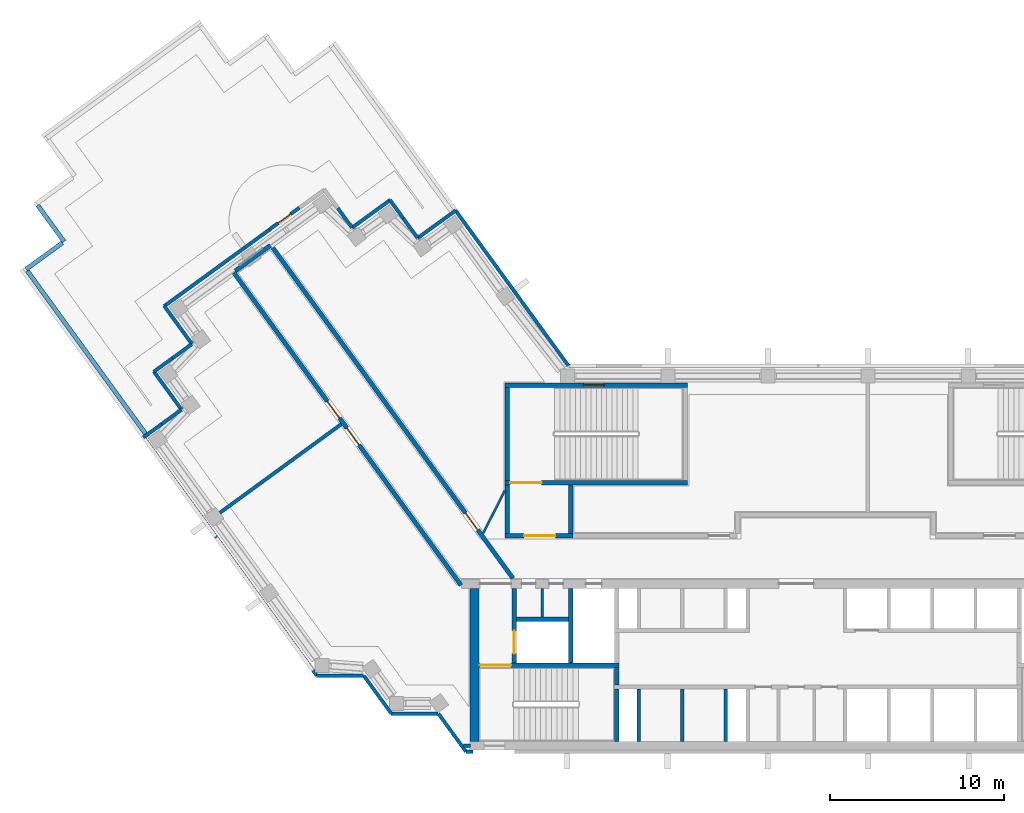
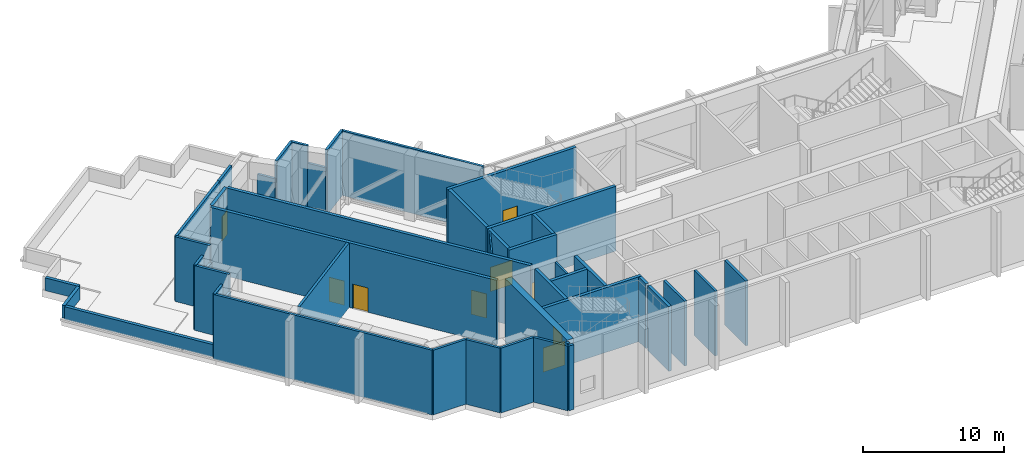
# One storey, part 9 of 15: 46 walls, 8 doors, 1 window, 9 openings.
"""IFC4 building model written with IfcOpenShell, lengths in metres."""

from ifc_helpers import new_model, si_unit, direction, frame, frame_2d, origin, place, context, subcontext, project, spatial, rectangle, extrude, material, layer, layer_set, type_object, element, fill, save


model = new_model("IFC4")

# Units and contexts
model_context = context("Model", 3, precision=1e-05, world=origin(), true_north=direction((0.0, 1.0)))
body_context = subcontext(model_context, "Body", "Model", "MODEL_VIEW")
ifc_project = project(units=[si_unit("LENGTHUNIT", "METRE"), si_unit("AREAUNIT", "SQUARE_METRE"), si_unit("VOLUMEUNIT", "CUBIC_METRE"), si_unit("PLANEANGLEUNIT", "RADIAN"), si_unit("MASSUNIT", "GRAM", prefix="KILO")], contexts=[model_context])

# Site, building, storey
site_placement = place(None, origin())
site = spatial("IfcSite", under=ifc_project, at=site_placement, CompositionType="ELEMENT")
building_placement = place(site_placement, origin())
building = spatial("IfcBuilding", under=site, at=building_placement, Name="Quipu Civic Tower", CompositionType="ELEMENT")
storey_placement = place(building_placement, frame((0.0, 0.0, 242.0)))
storey = spatial("IfcBuildingStorey", under=building, at=storey_placement, Name="L57", CompositionType="ELEMENT", Elevation=242.0)

# Walls
ifc_material_1 = material(Name="Fired clay blockwork", Category="masonry")
ifc_layer_1 = layer(ifc_material_1, 0.199951171875)
ifc_layer_set_1 = layer_set([ifc_layer_1], Name="Fired clay blockwork")
wall_type_1 = type_object("IfcWallType", Name="Blockwork wall 200", PredefinedType="SOLIDWALL", material=ifc_layer_set_1)
wall_1_placement = place(storey_placement, frame((-34.393798828125, 2.636962890625, 0.0), z_axis=(0.0, 0.0, 1.0), x_axis=(0.807574266555, 0.589765889145, 0.0)))
element("IfcWall", 1, at=wall_1_placement, inside=storey, type_object=wall_type_1, Name="Partition P03", PredefinedType="SOLIDWALL", context=body_context, shape_type="SweptSolid", body=[
    extrude(rectangle(XDim=8.644287109375, YDim=0.199951171875, at=frame_2d((4.322265625, 0.0))), origin(), (0.0, 0.0, 1.0), 5.60009765625),
])
ifc_material_2 = material(Name="Precast concrete C40/50", Category="concrete")
wall_type_2 = type_object("IfcWallType", Name="Concrete parapet", PredefinedType="PARAPET", material=ifc_material_2)
wall_2_placement = place(storey_placement, frame((-38.54345703125, 7.021240234375, 0.0), z_axis=(0.0, 0.0, 1.0), x_axis=(-0.587794236576, 0.809010466835, 0.0)))
element("IfcWall", 2, at=wall_2_placement, inside=storey, type_object=wall_type_2, Name="Parapet L57.1", PredefinedType="PARAPET", context=body_context, shape_type="SweptSolid", body=[
    extrude(rectangle(XDim=11.770263671875, YDim=0.25, at=frame_2d((5.88525390625, 0.0))), origin(), (0.0, 0.0, 1.0), 1.10009765625),
])
wall_3_placement = place(storey_placement, frame((-45.53515625, 16.64453125, 0.0), z_axis=(0.0, 0.0, 1.0), x_axis=(0.808998391935, 0.587810855502, 0.0)))
element("IfcWall", 3, at=wall_3_placement, inside=storey, type_object=wall_type_2, Name="Parapet L57.2", PredefinedType="PARAPET", context=body_context, shape_type="SweptSolid", body=[
    extrude(rectangle(XDim=2.5751953125, YDim=0.25, at=frame_2d((1.28759765625, 0.0))), origin(), (0.0, 0.0, 1.0), 1.10009765625),
])
wall_4_placement = place(storey_placement, frame((-43.350830078125, 18.231689453125, 0.0), z_axis=(0.0, 0.0, 1.0), x_axis=(-0.587855942954, 0.808965629884, 0.0)))
element("IfcWall", 4, at=wall_4_placement, inside=storey, type_object=wall_type_2, Name="Parapet L57.3", PredefinedType="PARAPET", context=body_context, shape_type="SweptSolid", body=[
    extrude(rectangle(XDim=2.574951171875, YDim=0.25, at=frame_2d((1.28759765625, 0.0))), origin(), (0.0, 0.0, 1.0), 1.10009765625),
])
ifc_material_3 = material(Name="Concrete C70/85", Category="concrete")
ifc_layer_2 = layer(ifc_material_3, 0.25)
ifc_layer_set_2 = layer_set([ifc_layer_2], Name="Concrete C70/85")
wall_type_3 = type_object("IfcWallType", Name="Core wall 250", PredefinedType="SHEAR", material=ifc_layer_set_2)
wall_5_placement = place(storey_placement, frame((-11.574951171875, -10.5, 0.0), z_axis=(0.0, 0.0, 1.0), x_axis=(0.0, 1.0, 0.0)))
element("IfcWall", 5, at=wall_5_placement, inside=storey, type_object=wall_type_3, Name="Core wall", PredefinedType="SHEAR", context=body_context, shape_type="SweptSolid", body=[
    extrude(rectangle(XDim=3.0, YDim=0.25, at=frame_2d((1.5, 0.0))), origin(), (0.0, 0.0, 1.0), 5.60009765625),
])
wall_6_placement = place(storey_placement, frame((-11.574951171875, -7.25, 0.0), z_axis=(0.0, 0.0, 1.0), x_axis=(0.0, 1.0, 0.0)))
element("IfcWall", 6, at=wall_6_placement, inside=storey, type_object=wall_type_3, Name="Core wall", PredefinedType="SHEAR", context=body_context, shape_type="SweptSolid", body=[
    extrude(rectangle(XDim=1.0, YDim=0.25, at=frame_2d((0.5, 0.0))), origin(), (0.0, 0.0, 1.0), 5.60009765625),
])

# Wall, opening, door
wall_7_placement = place(storey_placement, frame((-11.449951171875, -6.125, 0.0), z_axis=(0.0, 0.0, 1.0), x_axis=(-1.0, 0.0, 0.0)))
wall_7 = element("IfcWall", 7, at=wall_7_placement, inside=storey, type_object=wall_type_3, Name="Core wall", PredefinedType="SHEAR", context=body_context, shape_type="SweptSolid", body=[
    extrude(rectangle(XDim=8.050048828125, YDim=0.25, at=frame_2d((4.02490234375, 0.0))), origin(), (0.0, 0.0, 1.0), 5.60009765625),
])
opening_1_placement = place(wall_7_placement, frame((6.199951171875, 0.0, 0.0)))
opening_1 = element("IfcOpeningElement", 8, at=opening_1_placement, cuts=wall_7, Name="Opening CD-04", PredefinedType="OPENING", context=body_context, shape_type="SweptSolid", body=[
    extrude(rectangle(XDim=1.800048828125, YDim=2.10009765625, at=frame_2d((0.89990234375, 1.050048828125))), frame((0.0, 0.135009765625, 0.0), z_axis=(0.0, -1.0, 0.0), x_axis=(1.0, 0.0, 0.0)), (0.0, 0.0, 1.0), 0.27001953125),
])
ifc_material_4 = material(Name="Fire rated steel door", Category="steel")
door_type_1 = type_object("IfcDoorType", Name="Fire door FD90 double 1800 x 2100", OperationType="NOTDEFINED", PredefinedType="DOOR", material=ifc_material_4)
door_1_placement = place(opening_1_placement, origin())
door_1 = element("IfcDoor", 9, at=door_1_placement, inside=storey, type_object=door_type_1, Name="Door", OperationType="DOUBLE_DOOR_SINGLE_SWING", OverallHeight=2.10009765625, OverallWidth=1.800048828125, PredefinedType="DOOR", context=body_context, shape_type="SweptSolid", body=[
    extrude(rectangle(XDim=1.800048828125, YDim=2.10009765625, at=frame_2d((0.89990234375, 1.050048828125))), frame((0.0, 0.02490234375, 0.0), z_axis=(0.0, -1.0, 0.0), x_axis=(1.0, 0.0, 0.0)), (0.0, 0.0, 1.0), 0.050048828125),
])
fill(opening_1, door_1)

wall_8_placement = place(storey_placement, frame((-17.47509765625, -6.0, 0.0), z_axis=(0.0, 0.0, 1.0), x_axis=(0.0, 1.0, 0.0)))
wall_8 = element("IfcWall", 10, at=wall_8_placement, inside=storey, type_object=wall_type_3, Name="Core wall", PredefinedType="SHEAR", context=body_context, shape_type="SweptSolid", body=[
    extrude(rectangle(XDim=4.300048828125, YDim=0.25, at=frame_2d((2.14990234375, 0.0))), origin(), (0.0, 0.0, 1.0), 5.60009765625),
])
opening_2_placement = place(wall_8_placement, frame((0.550048828125, 0.0, 0.0)))
opening_2 = element("IfcOpeningElement", 11, at=opening_2_placement, cuts=wall_8, Name="Opening LD-FF1", PredefinedType="OPENING", context=body_context, shape_type="SweptSolid", body=[
    extrude(rectangle(XDim=1.300048828125, YDim=2.10009765625, at=frame_2d((0.64990234375, 1.050048828125))), frame((0.0, 0.135009765625, 0.0), z_axis=(0.0, -1.0, 0.0), x_axis=(1.0, 0.0, 0.0)), (0.0, 0.0, 1.0), 0.27001953125),
])
ifc_material_5 = material(Name="Stainless steel", Category="steel")
door_type_2 = type_object("IfcDoorType", Name="Lift landing door 1300 x 2100", OperationType="DOUBLE_DOOR_SLIDING", PredefinedType="DOOR", material=ifc_material_5)
door_2_placement = place(opening_2_placement, origin())
door_2 = element("IfcDoor", 12, at=door_2_placement, inside=storey, type_object=door_type_2, Name="Landing door FF1", OperationType="DOUBLE_DOOR_SLIDING", OverallHeight=2.10009765625, OverallWidth=1.300048828125, PredefinedType="DOOR", context=body_context, shape_type="SweptSolid", body=[
    extrude(rectangle(XDim=1.300048828125, YDim=2.10009765625, at=frame_2d((0.64990234375, 1.050048828125))), frame((0.0, 0.02490234375, 0.0), z_axis=(0.0, -1.0, 0.0), x_axis=(1.0, 0.0, 0.0)), (0.0, 0.0, 1.0), 0.050048828125),
])
fill(opening_2, door_2)

# Walls
wall_9_placement = place(storey_placement, frame((-14.22509765625, -6.0, 0.0), z_axis=(0.0, 0.0, 1.0), x_axis=(0.0, 1.0, 0.0)))
element("IfcWall", 13, at=wall_9_placement, inside=storey, type_object=wall_type_3, Name="Core wall", PredefinedType="SHEAR", context=body_context, shape_type="SweptSolid", body=[
    extrude(rectangle(XDim=4.300048828125, YDim=0.25, at=frame_2d((2.14990234375, 0.0))), origin(), (0.0, 0.0, 1.0), 5.60009765625),
])
wall_10_placement = place(storey_placement, frame((-17.35009765625, -3.47509765625, 0.0), z_axis=(0.0, 0.0, 1.0), x_axis=(1.0, 0.0, 0.0)))
element("IfcWall", 14, at=wall_10_placement, inside=storey, type_object=wall_type_3, Name="Core wall", PredefinedType="SHEAR", context=body_context, shape_type="SweptSolid", body=[
    extrude(rectangle(XDim=3.0, YDim=0.25, at=frame_2d((1.5, 0.0))), origin(), (0.0, 0.0, 1.0), 5.60009765625),
])

# Wall, opening, door
wall_11_placement = place(storey_placement, frame((-18.0, 1.324951171875, 0.0), z_axis=(0.0, 0.0, 1.0), x_axis=(1.0, 0.0, 0.0)))
wall_11 = element("IfcWall", 15, at=wall_11_placement, inside=storey, type_object=wall_type_3, Name="Core wall", PredefinedType="SHEAR", context=body_context, shape_type="SweptSolid", body=[
    extrude(rectangle(XDim=3.89990234375, YDim=0.25, at=frame_2d((1.949951171875, 0.0))), origin(), (0.0, 0.0, 1.0), 5.60009765625),
])
opening_3_placement = place(wall_11_placement, frame((1.10009765625, 0.0, 0.0)))
opening_3 = element("IfcOpeningElement", 16, at=opening_3_placement, cuts=wall_11, Name="Opening CD-14", PredefinedType="OPENING", context=body_context, shape_type="SweptSolid", body=[
    extrude(rectangle(XDim=1.800048828125, YDim=2.10009765625, at=frame_2d((0.89990234375, 1.050048828125))), frame((0.0, 0.135009765625, 0.0), z_axis=(0.0, -1.0, 0.0), x_axis=(1.0, 0.0, 0.0)), (0.0, 0.0, 1.0), 0.27001953125),
])
door_3_placement = place(opening_3_placement, origin())
door_3 = element("IfcDoor", 17, at=door_3_placement, inside=storey, type_object=door_type_1, Name="Lobby door", OperationType="DOUBLE_DOOR_SINGLE_SWING", OverallHeight=2.10009765625, OverallWidth=1.800048828125, PredefinedType="DOOR", context=body_context, shape_type="SweptSolid", body=[
    extrude(rectangle(XDim=1.800048828125, YDim=2.10009765625, at=frame_2d((0.89990234375, 1.050048828125))), frame((0.0, 0.02490234375, 0.0), z_axis=(0.0, -1.0, 0.0), x_axis=(1.0, 0.0, 0.0)), (0.0, 0.0, 1.0), 0.050048828125),
])
fill(opening_3, door_3)

# Walls
for number, where, z_axis, x_axis, name in (
    (18, (-17.875, 1.449951171875, 0.0), (0.0, 0.0, 1.0), (0.0, 1.0, 0.0), "Core wall"),
    (19, (-14.22509765625, 1.449951171875, 0.0), (0.0, 0.0, 1.0), (0.0, 1.0, 0.0), "Core wall"),
):
    element("IfcWall", number, at=place(storey_placement, frame(where, z_axis=z_axis, x_axis=x_axis)), inside=storey, type_object=wall_type_3, Name=name, PredefinedType="SHEAR", context=body_context, shape_type="SweptSolid", body=[
        extrude(rectangle(XDim=2.800048828125, YDim=0.25, at=frame_2d((1.39990234375, 0.0))), origin(), (0.0, 0.0, 1.0), 5.60009765625),
    ])

# Wall, opening, door
wall_12_placement = place(storey_placement, frame((-18.0, 4.375, 0.0), z_axis=(0.0, 0.0, 1.0), x_axis=(1.0, 0.0, 0.0)))
wall_12 = element("IfcWall", 20, at=wall_12_placement, inside=storey, type_object=wall_type_3, Name="Core wall", PredefinedType="SHEAR", context=body_context, shape_type="SweptSolid", body=[
    extrude(rectangle(XDim=10.5, YDim=0.25, at=frame_2d((5.25, 0.0))), origin(), (0.0, 0.0, 1.0), 5.60009765625),
])
opening_4_placement = place(wall_12_placement, frame((0.300048828125, 0.0, 0.0)))
opening_4 = element("IfcOpeningElement", 21, at=opening_4_placement, cuts=wall_12, Name="Opening CD-15", PredefinedType="OPENING", context=body_context, shape_type="SweptSolid", body=[
    extrude(rectangle(XDim=1.800048828125, YDim=2.10009765625, at=frame_2d((0.89990234375, 1.050048828125))), frame((0.0, 0.135009765625, 0.0), z_axis=(0.0, -1.0, 0.0), x_axis=(1.0, 0.0, 0.0)), (0.0, 0.0, 1.0), 0.27001953125),
])
door_4_placement = place(opening_4_placement, origin())
door_4 = element("IfcDoor", 22, at=door_4_placement, inside=storey, type_object=door_type_1, Name="Door", OperationType="DOUBLE_DOOR_SINGLE_SWING", OverallHeight=2.10009765625, OverallWidth=1.800048828125, PredefinedType="DOOR", context=body_context, shape_type="SweptSolid", body=[
    extrude(rectangle(XDim=1.800048828125, YDim=2.10009765625, at=frame_2d((0.89990234375, 1.050048828125))), frame((0.0, 0.02490234375, 0.0), z_axis=(0.0, -1.0, 0.0), x_axis=(1.0, 0.0, 0.0)), (0.0, 0.0, 1.0), 0.050048828125),
])
fill(opening_4, door_4)

# Wall
wall_13_placement = place(storey_placement, frame((-17.875, 4.5, 0.0), z_axis=(0.0, 0.0, 1.0), x_axis=(0.0, 1.0, 0.0)))
element("IfcWall", 23, at=wall_13_placement, inside=storey, type_object=wall_type_3, Name="Core wall", PredefinedType="SHEAR", context=body_context, shape_type="SweptSolid", body=[
    extrude(rectangle(XDim=5.35009765625, YDim=0.25, at=frame_2d((2.675048828125, 0.0))), origin(), (0.0, 0.0, 1.0), 5.60009765625),
])

# Wall, opening, window
wall_14_placement = place(storey_placement, frame((-18.0, 9.97509765625, 0.0), z_axis=(0.0, 0.0, 1.0), x_axis=(1.0, 0.0, 0.0)))
wall_14 = element("IfcWall", 24, at=wall_14_placement, inside=storey, type_object=wall_type_3, Name="Core wall", PredefinedType="SHEAR", context=body_context, shape_type="SweptSolid", body=[
    extrude(rectangle(XDim=10.5, YDim=0.25, at=frame_2d((5.25, 0.0))), origin(), (0.0, 0.0, 1.0), 5.60009765625),
])
opening_5_placement = place(wall_14_placement, frame((4.5, 0.0, 1.0)))
opening_5 = element("IfcOpeningElement", 25, at=opening_5_placement, cuts=wall_14, Name="Opening SV-3", PredefinedType="OPENING", context=body_context, shape_type="SweptSolid", body=[
    extrude(rectangle(XDim=1.199951171875, YDim=1.199951171875, at=frame_2d((0.60009765625, 0.60009765625))), frame((0.0, 0.135009765625, 0.0), z_axis=(0.0, -1.0, 0.0), x_axis=(1.0, 0.0, 0.0)), (0.0, 0.0, 1.0), 0.27001953125),
])
ifc_material_6 = material(Name="Aluminium louvre", Category="aluminium")
window_type = type_object("IfcWindowType", Name="Stair ventilation louvre 1200 x 1200", PartitioningType="SINGLE_PANEL", PredefinedType="WINDOW", material=ifc_material_6)
window_placement = place(opening_5_placement, origin())
window = element("IfcWindow", 26, at=window_placement, inside=storey, type_object=window_type, Name="Stair ventilation opening", OverallHeight=1.199951171875, OverallWidth=1.199951171875, PartitioningType="SINGLE_PANEL", PredefinedType="WINDOW", context=body_context, shape_type="SweptSolid", body=[
    extrude(rectangle(XDim=1.199951171875, YDim=1.199951171875, at=frame_2d((0.60009765625, 0.60009765625))), frame((0.0, 0.030029296875, 0.0), z_axis=(0.0, -1.0, 0.0), x_axis=(1.0, 0.0, 0.0)), (0.0, 0.0, 1.0), 0.06005859375),
])
fill(opening_5, window)

# Wall
ifc_material_7 = material(Name="Concrete C70/85", Category="concrete")
ifc_layer_3 = layer(ifc_material_7, 0.5)
ifc_layer_set_3 = layer_set([ifc_layer_3], Name="Concrete C70/85")
wall_type_4 = type_object("IfcWallType", Name="Core wall 500", PredefinedType="SHEAR", material=ifc_layer_set_3)
wall_15_placement = place(storey_placement, frame((-19.75, -10.5, 0.0), z_axis=(0.0, 0.0, 1.0), x_axis=(0.0, 1.0, 0.0)))
element("IfcWall", 27, at=wall_15_placement, inside=storey, type_object=wall_type_4, Name="Core wall", PredefinedType="SHEAR", context=body_context, shape_type="SweptSolid", body=[
    extrude(rectangle(XDim=8.800048828125, YDim=0.5, at=frame_2d((4.39990234375, 0.0))), origin(), (0.0, 0.0, 1.0), 5.60009765625),
])

# Wall, openings, doors
ifc_material_8 = material(Name="Concrete C50/60", Category="concrete")
ifc_layer_4 = layer(ifc_material_8, 0.25)
ifc_layer_set_4 = layer_set([ifc_layer_4], Name="Concrete C50/60")
wall_type_5 = type_object("IfcWallType", Name="Corridor wall 250 concrete", PredefinedType="SOLIDWALL", material=ifc_layer_set_4)
wall_16_placement = place(storey_placement, frame((-20.531005859375, -1.5234375, 0.0), z_axis=(0.0, 0.0, 1.0), x_axis=(-0.587782114023, 0.809019274452, 0.0)))
wall_16 = element("IfcWall", 28, at=wall_16_placement, inside=storey, type_object=wall_type_5, Name="Corridor wall C06", PredefinedType="SOLIDWALL", context=body_context, shape_type="SweptSolid", body=[
    extrude(rectangle(XDim=22.211669921875, YDim=0.25, at=frame_2d((11.10595703125, 0.0))), origin(), (0.0, 0.0, 1.0), 5.60009765625),
])
opening_6_placement = place(wall_16_placement, frame((11.865478515625, 0.0, 0.0)))
opening_6 = element("IfcOpeningElement", 29, at=opening_6_placement, cuts=wall_16, Name="Opening D007", PredefinedType="OPENING", context=body_context, shape_type="SweptSolid", body=[
    extrude(rectangle(XDim=1.199951171875, YDim=2.10009765625, at=frame_2d((0.60009765625, 1.050048828125))), frame((0.0, 0.135009765625, 0.0), z_axis=(0.0, -1.0, 0.0), x_axis=(1.0, 0.0, 0.0)), (0.0, 0.0, 1.0), 0.27001953125),
])
opening_7_placement = place(wall_16_placement, frame((9.965576171875, 0.0, 0.0)))
opening_7 = element("IfcOpeningElement", 30, at=opening_7_placement, cuts=wall_16, Name="Opening D008", PredefinedType="OPENING", context=body_context, shape_type="SweptSolid", body=[
    extrude(rectangle(XDim=1.199951171875, YDim=2.10009765625, at=frame_2d((0.60009765625, 1.050048828125))), frame((0.0, 0.135009765625, 0.0), z_axis=(0.0, -1.0, 0.0), x_axis=(1.0, 0.0, 0.0)), (0.0, 0.0, 1.0), 0.27001953125),
])
ifc_material_9 = material(Name="Fire rated timber door set with metal frame", Category="wood")
door_type_3 = type_object("IfcDoorType", Name="Single door 1200 x 2100 FD60", OperationType="NOTDEFINED", PredefinedType="DOOR", material=ifc_material_9)
door_5_placement = place(opening_6_placement, origin())
door_5 = element("IfcDoor", 31, at=door_5_placement, inside=storey, type_object=door_type_3, Name="Door D007", OperationType="SINGLE_SWING_LEFT", OverallHeight=2.10009765625, OverallWidth=1.199951171875, PredefinedType="DOOR", context=body_context, shape_type="SweptSolid", body=[
    extrude(rectangle(XDim=1.199951171875, YDim=2.10009765625, at=frame_2d((0.60009765625, 1.050048828125))), frame((0.0, 0.02490234375, 0.0), z_axis=(0.0, -1.0, 0.0), x_axis=(1.0, 0.0, 0.0)), (0.0, 0.0, 1.0), 0.050048828125),
])
fill(opening_6, door_5)
door_6_placement = place(opening_7_placement, origin())
door_6 = element("IfcDoor", 32, at=door_6_placement, inside=storey, type_object=door_type_3, Name="Door D008", OperationType="SINGLE_SWING_RIGHT", OverallHeight=2.10009765625, OverallWidth=1.199951171875, PredefinedType="DOOR", context=body_context, shape_type="SweptSolid", body=[
    extrude(rectangle(XDim=1.199951171875, YDim=2.10009765625, at=frame_2d((0.60009765625, 1.050048828125))), frame((0.0, 0.02490234375, 0.0), z_axis=(0.0, -1.0, 0.0), x_axis=(1.0, 0.0, 0.0)), (0.0, 0.0, 1.0), 0.050048828125),
])
fill(opening_7, door_6)

# Wall
wall_17_placement = place(storey_placement, frame((-33.50244140625, 16.549072265625, 0.0), z_axis=(0.0, 0.0, 1.0), x_axis=(0.809045768422, 0.587745646176, 0.0)))
element("IfcWall", 33, at=wall_17_placement, inside=storey, type_object=wall_type_5, Name="Corridor wall C07", PredefinedType="SOLIDWALL", context=body_context, shape_type="SweptSolid", body=[
    extrude(rectangle(XDim=2.48779296875, YDim=0.25, at=frame_2d((1.243896484375, 0.0))), origin(), (0.0, 0.0, 1.0), 5.60009765625),
])

# Wall, opening, door
wall_18_placement = place(storey_placement, frame((-31.386962890625, 17.927001953125, 0.0), z_axis=(0.0, 0.0, 1.0), x_axis=(0.587788830132, -0.80901439491, 0.0)))
wall_18 = element("IfcWall", 34, at=wall_18_placement, inside=storey, type_object=wall_type_5, Name="Corridor wall C08", PredefinedType="SOLIDWALL", context=body_context, shape_type="SweptSolid", body=[
    extrude(rectangle(XDim=23.54931640625, YDim=0.25, at=frame_2d((11.774658203125, 0.0))), origin(), (0.0, 0.0, 1.0), 5.60009765625),
])
opening_8_placement = place(wall_18_placement, frame((18.906982421875, 0.0, 0.0)))
opening_8 = element("IfcOpeningElement", 35, at=opening_8_placement, cuts=wall_18, Name="Opening D006", PredefinedType="OPENING", context=body_context, shape_type="SweptSolid", body=[
    extrude(rectangle(XDim=1.199951171875, YDim=2.10009765625, at=frame_2d((0.60009765625, 1.050048828125))), frame((0.0, 0.135009765625, 0.0), z_axis=(0.0, -1.0, 0.0), x_axis=(1.0, 0.0, 0.0)), (0.0, 0.0, 1.0), 0.27001953125),
])
door_7_placement = place(opening_8_placement, origin())
door_7 = element("IfcDoor", 36, at=door_7_placement, inside=storey, type_object=door_type_3, Name="Door D006", OperationType="SINGLE_SWING_RIGHT", OverallHeight=2.10009765625, OverallWidth=1.199951171875, PredefinedType="DOOR", context=body_context, shape_type="SweptSolid", body=[
    extrude(rectangle(XDim=1.199951171875, YDim=2.10009765625, at=frame_2d((0.60009765625, 1.050048828125))), frame((0.0, 0.02490234375, 0.0), z_axis=(0.0, -1.0, 0.0), x_axis=(1.0, 0.0, 0.0)), (0.0, 0.0, 1.0), 0.050048828125),
])
fill(opening_8, door_7)

# Walls
ifc_material_10 = material(Name="Gypsum plasterboard on light gauge framing")
ifc_layer_5 = layer(ifc_material_10, 0.1201171875)
ifc_layer_set_5 = layer_set([ifc_layer_5], Name="Gypsum plasterboard on light gauge framing")
wall_type_6 = type_object("IfcWallType", Name="Partition 120 plasterboard", PredefinedType="PARTITIONING", material=ifc_layer_set_5)
wall_19_placement = place(storey_placement, frame((-19.260986328125, 1.449951171875, 0.0), z_axis=(0.0, 0.0, 1.0), x_axis=(0.453950796792, 0.891026752736, 0.0)))
element("IfcWall", 37, at=wall_19_placement, inside=storey, type_object=wall_type_6, Name="Partition P05", PredefinedType="PARTITIONING", context=body_context, shape_type="SweptSolid", body=[
    extrude(rectangle(XDim=2.77783203125, YDim=0.1201171875, at=frame_2d((1.388916015625, 0.0))), origin(), (0.0, 0.0, 1.0), 5.60009765625),
])
ifc_material_11 = material(Name="Gypsum board partition")
ifc_layer_6 = layer(ifc_material_11, 0.14990234375)
ifc_layer_set_6 = layer_set([ifc_layer_6], Name="Gypsum board partition")
wall_type_7 = type_object("IfcWallType", Name="Partition 150", PredefinedType="PARTITIONING", material=ifc_layer_set_6)
wall_20_placement = place(storey_placement, frame((-15.85009765625, -3.35009765625, 0.0), z_axis=(0.0, 0.0, 1.0), x_axis=(0.0, 1.0, 0.0)))
element("IfcWall", 38, at=wall_20_placement, inside=storey, type_object=wall_type_7, Name="Partition", PredefinedType="PARTITIONING", context=body_context, shape_type="SweptSolid", body=[
    extrude(rectangle(XDim=1.650146484375, YDim=0.14990234375, at=frame_2d((0.8251953125, 0.0))), origin(), (0.0, 0.0, 1.0), 5.60009765625),
])
ifc_material_12 = material(Name="Precast concrete C40/50", Category="concrete")
wall_type_8 = type_object("IfcWallType", Name="Precast cladding wall", PredefinedType="SOLIDWALL", material=ifc_material_12)
wall_21_placement = place(storey_placement, frame((-14.35400390625, 11.093017578125, 0.0), z_axis=(0.0, 0.0, 1.0), x_axis=(-0.58779571445, 0.809009393069, 0.0)))
element("IfcWall", 39, at=wall_21_placement, inside=storey, type_object=wall_type_8, Name="Precast cladding wall L57 1", PredefinedType="SOLIDWALL", context=body_context, shape_type="SweptSolid", body=[
    extrude(rectangle(XDim=11.044189453125, YDim=0.199951171875, at=frame_2d((5.52197265625, 0.0))), origin(), (0.0, 0.0, 1.0), 5.60009765625),
])
wall_22_placement = place(storey_placement, frame((-20.828857421875, 20.025390625, 0.0), z_axis=(0.0, 0.0, 1.0), x_axis=(-0.808990163075, -0.587822180636, 0.0)))
element("IfcWall", 40, at=wall_22_placement, inside=storey, type_object=wall_type_8, Name="Precast cladding wall L57 2", PredefinedType="SOLIDWALL", context=body_context, shape_type="SweptSolid", body=[
    extrude(rectangle(XDim=2.699951171875, YDim=0.199951171875, at=frame_2d((1.35009765625, 0.0))), origin(), (0.0, 0.0, 1.0), 5.60009765625),
])
wall_23_placement = place(storey_placement, frame((-23.030029296875, 18.44091796875, 0.0), z_axis=(0.0, 0.0, 1.0), x_axis=(-0.587753586678, 0.809039999844, 0.0)))
element("IfcWall", 41, at=wall_23_placement, inside=storey, type_object=wall_type_8, Name="Precast cladding wall L57 3", PredefinedType="SOLIDWALL", context=body_context, shape_type="SweptSolid", body=[
    extrude(rectangle(XDim=1.388916015625, YDim=0.199951171875, at=frame_2d((0.6943359375, 0.0))), origin(), (0.0, 0.0, 1.0), 4.10009765625),
])
wall_24_placement = place(storey_placement, frame((-23.846435546875, 19.564697265625, 0.0), z_axis=(0.0, 0.0, 1.0), x_axis=(-0.587772972264, 0.809025916196, 0.0)))
element("IfcWall", 42, at=wall_24_placement, inside=storey, type_object=wall_type_8, Name="Precast cladding wall L57 3 a", PredefinedType="SOLIDWALL", context=body_context, shape_type="SweptSolid", body=[
    extrude(rectangle(XDim=1.310791015625, YDim=0.199951171875, at=frame_2d((0.6552734375, 0.0))), origin(), (0.0, 0.0, 1.0), 5.60009765625),
])
wall_25_placement = place(storey_placement, frame((-24.60009765625, 20.62255859375, 0.0), z_axis=(0.0, 0.0, 1.0), x_axis=(-0.809064397168, -0.587720002413, 0.0)))
element("IfcWall", 43, at=wall_25_placement, inside=storey, type_object=wall_type_8, Name="Precast cladding wall L57 4", PredefinedType="SOLIDWALL", context=body_context, shape_type="SweptSolid", body=[
    extrude(rectangle(XDim=2.7001953125, YDim=0.199951171875, at=frame_2d((1.35009765625, 0.0))), origin(), (0.0, 0.0, 1.0), 5.60009765625),
])
wall_26_placement = place(storey_placement, frame((-26.801513671875, 19.0380859375, 0.0), z_axis=(0.0, 0.0, 1.0), x_axis=(-0.587731903943, 0.809055751533, 0.0)))
element("IfcWall", 44, at=wall_26_placement, inside=storey, type_object=wall_type_8, Name="Precast cladding wall L57 5", PredefinedType="SOLIDWALL", context=body_context, shape_type="SweptSolid", body=[
    extrude(rectangle(XDim=1.386474609375, YDim=0.199951171875, at=frame_2d((0.693359375, 0.0))), origin(), (0.0, 0.0, 1.0), 4.10009765625),
])
wall_27_placement = place(storey_placement, frame((-31.5419921875, 18.91650390625, 0.0), z_axis=(0.0, 0.0, 1.0), x_axis=(-0.809028102457, -0.587769963025, 0.0)))
element("IfcWall", 45, at=wall_27_placement, inside=storey, type_object=wall_type_8, Name="Precast cladding wall L57 8", PredefinedType="SOLIDWALL", context=body_context, shape_type="SweptSolid", body=[
    extrude(rectangle(XDim=7.481201171875, YDim=0.199951171875, at=frame_2d((3.74072265625, 0.0))), origin(), (0.0, 0.0, 1.0), 5.60009765625),
])
wall_28_placement = place(storey_placement, frame((-37.591796875, 14.535888671875, 0.0), z_axis=(0.0, 0.0, 1.0), x_axis=(0.587762999008, -0.809033161865, 0.0)))
element("IfcWall", 46, at=wall_28_placement, inside=storey, type_object=wall_type_8, Name="Precast cladding wall L57 9", PredefinedType="SOLIDWALL", context=body_context, shape_type="SweptSolid", body=[
    extrude(rectangle(XDim=2.699951171875, YDim=0.199951171875, at=frame_2d((1.35009765625, 0.0))), origin(), (0.0, 0.0, 1.0), 5.60009765625),
])
wall_29_placement = place(storey_placement, frame((-36.00732421875, 12.334716796875, 0.0), z_axis=(0.0, 0.0, 1.0), x_axis=(-0.809078659976, -0.58770036751, 0.0)))
element("IfcWall", 47, at=wall_29_placement, inside=storey, type_object=wall_type_8, Name="Precast cladding wall L57 10", PredefinedType="SOLIDWALL", context=body_context, shape_type="SweptSolid", body=[
    extrude(rectangle(XDim=1.38623046875, YDim=0.199951171875, at=frame_2d((0.693115234375, 0.0))), origin(), (0.0, 0.0, 1.0), 4.10009765625),
])
wall_30_placement = place(storey_placement, frame((-37.12890625, 11.52001953125, 0.0), z_axis=(0.0, 0.0, 1.0), x_axis=(-0.808985145084, -0.587829086584, 0.0)))
element("IfcWall", 48, at=wall_30_placement, inside=storey, type_object=wall_type_8, Name="Precast cladding wall L57 10 a", PredefinedType="SOLIDWALL", context=body_context, shape_type="SweptSolid", body=[
    extrude(rectangle(XDim=1.313720703125, YDim=0.199951171875, at=frame_2d((0.65673828125, 0.0))), origin(), (0.0, 0.0, 1.0), 5.60009765625),
])
wall_31_placement = place(storey_placement, frame((-38.189208984375, 10.7646484375, 0.0), z_axis=(0.0, 0.0, 1.0), x_axis=(0.587822180636, -0.808990163075, 0.0)))
element("IfcWall", 49, at=wall_31_placement, inside=storey, type_object=wall_type_8, Name="Precast cladding wall L57 11", PredefinedType="SOLIDWALL", context=body_context, shape_type="SweptSolid", body=[
    extrude(rectangle(XDim=2.699951171875, YDim=0.199951171875, at=frame_2d((1.35009765625, 0.0))), origin(), (0.0, 0.0, 1.0), 5.60009765625),
])
wall_32_placement = place(storey_placement, frame((-36.604736328125, 8.5634765625, 0.0), z_axis=(0.0, 0.0, 1.0), x_axis=(-0.808970345434, -0.587849453694, 0.0)))
element("IfcWall", 50, at=wall_32_placement, inside=storey, type_object=wall_type_8, Name="Precast cladding wall L57 12", PredefinedType="SOLIDWALL", context=body_context, shape_type="SweptSolid", body=[
    extrude(rectangle(XDim=1.396728515625, YDim=0.199951171875, at=frame_2d((0.6982421875, 0.0))), origin(), (0.0, 0.0, 1.0), 4.10009765625),
])
wall_33_placement = place(storey_placement, frame((-37.734619140625, 7.742431640625, 0.0), z_axis=(0.0, 0.0, 1.0), x_axis=(-0.809011398613, -0.587792954121, 0.0)))
element("IfcWall", 51, at=wall_33_placement, inside=storey, type_object=wall_type_8, Name="Precast cladding wall L57 12 a", PredefinedType="SOLIDWALL", context=body_context, shape_type="SweptSolid", body=[
    extrude(rectangle(XDim=1.303466796875, YDim=0.199951171875, at=frame_2d((0.65185546875, 0.0))), origin(), (0.0, 0.0, 1.0), 5.60009765625),
])
wall_34_placement = place(storey_placement, frame((-38.786376953125, 6.9931640625, 0.0), z_axis=(0.0, 0.0, 1.0), x_axis=(0.587789790223, -0.809013697356, 0.0)))
element("IfcWall", 52, at=wall_34_placement, inside=storey, type_object=wall_type_8, Name="Precast cladding wall L57 13", PredefinedType="SOLIDWALL", context=body_context, shape_type="SweptSolid", body=[
    extrude(rectangle(XDim=16.95556640625, YDim=0.199951171875, at=frame_2d((8.477783203125, 0.0))), origin(), (0.0, 0.0, 1.0), 5.60009765625),
])
wall_35_placement = place(storey_placement, frame((-28.829833984375, -6.71923828125, 0.0), z_axis=(0.0, 0.0, 1.0), x_axis=(1.0, 0.0, 0.0)))
element("IfcWall", 53, at=wall_35_placement, inside=storey, type_object=wall_type_8, Name="Precast cladding wall L57 14", PredefinedType="SOLIDWALL", context=body_context, shape_type="SweptSolid", body=[
    extrude(rectangle(XDim=2.699951171875, YDim=0.199951171875, at=frame_2d((1.35009765625, 0.0))), origin(), (0.0, 0.0, 1.0), 5.60009765625),
])
wall_36_placement = place(storey_placement, frame((-26.1201171875, -6.72412109375, 0.0), z_axis=(0.0, 0.0, 1.0), x_axis=(0.587720002413, -0.809064397168, 0.0)))
element("IfcWall", 54, at=wall_36_placement, inside=storey, type_object=wall_type_8, Name="Precast cladding wall L57 15", PredefinedType="SOLIDWALL", context=body_context, shape_type="SweptSolid", body=[
    extrude(rectangle(XDim=2.7001953125, YDim=0.199951171875, at=frame_2d((1.35009765625, 0.0))), origin(), (0.0, 0.0, 1.0), 5.60009765625),
])
wall_37_placement = place(storey_placement, frame((-24.542724609375, -8.90380859375, 0.0), z_axis=(0.0, 0.0, 1.0), x_axis=(1.0, 0.0, 0.0)))
element("IfcWall", 55, at=wall_37_placement, inside=storey, type_object=wall_type_8, Name="Precast cladding wall L57 16", PredefinedType="SOLIDWALL", context=body_context, shape_type="SweptSolid", body=[
    extrude(rectangle(XDim=2.699951171875, YDim=0.199951171875, at=frame_2d((1.35009765625, 0.0))), origin(), (0.0, 0.0, 1.0), 5.60009765625),
])
wall_38_placement = place(storey_placement, frame((-21.8330078125, -8.90869140625, 0.0), z_axis=(0.0, 0.0, 1.0), x_axis=(0.587766567315, -0.809030569476, 0.0)))
element("IfcWall", 56, at=wall_38_placement, inside=storey, type_object=wall_type_8, Name="Precast cladding wall L57 17", PredefinedType="SOLIDWALL", context=body_context, shape_type="SweptSolid", body=[
    extrude(rectangle(XDim=2.687744140625, YDim=0.199951171875, at=frame_2d((1.34375, 0.0))), origin(), (0.0, 0.0, 1.0), 5.60009765625),
])
wall_39_placement = place(storey_placement, frame((-20.255859375, -11.087890625, 0.0), z_axis=(0.0, 0.0, 1.0), x_axis=(1.0, 0.0, 0.0)))
element("IfcWall", 57, at=wall_39_placement, inside=storey, type_object=wall_type_8, Name="Precast cladding wall L57 18", PredefinedType="SOLIDWALL", context=body_context, shape_type="SweptSolid", body=[
    extrude(rectangle(XDim=0.40576171875, YDim=0.199951171875, at=frame_2d((0.202880859375, 0.0))), origin(), (0.0, 0.0, 1.0), 5.60009765625),
])
wall_40_placement = place(storey_placement, frame((-19.97998046875, -10.75, 0.0), z_axis=(0.0, 0.0, 1.0), x_axis=(-1.0, 0.0, 0.0)))
element("IfcWall", 58, at=wall_40_placement, inside=storey, type_object=wall_type_8, Name="Precast cladding return L57 W", PredefinedType="SOLIDWALL", context=body_context, shape_type="SweptSolid", body=[
    extrude(rectangle(XDim=0.41650390625, YDim=0.199951171875, at=frame_2d((0.208251953125, 0.0))), origin(), (0.0, 0.0, 1.0), 5.60009765625),
])

# Wall, opening, door
ifc_material_13 = material(Name="Precast concrete C40/50", Category="concrete")
wall_type_9 = type_object("IfcWallType", Name="Precast door surround", PredefinedType="SOLIDWALL", material=ifc_material_13)
wall_41_placement = place(storey_placement, frame((-31.549072265625, 18.92626953125, 0.0), z_axis=(0.0, 0.0, 1.0), x_axis=(0.809022465264, 0.587777722186, 0.0)))
wall_41 = element("IfcWall", 59, at=wall_41_placement, inside=storey, type_object=wall_type_9, Name="Door surround RA-L57-1", PredefinedType="SOLIDWALL", context=body_context, shape_type="SweptSolid", body=[
    extrude(rectangle(XDim=2.137451171875, YDim=0.199951171875, at=frame_2d((1.06884765625, 0.0))), origin(), (0.0, 0.0, 1.0), 5.60009765625),
])
opening_9_placement = place(wall_41_placement, frame((0.61865234375, 0.0, 0.0)))
opening_9 = element("IfcOpeningElement", 60, at=opening_9_placement, cuts=wall_41, Name="Opening RA-L57-1", PredefinedType="OPENING", context=body_context, shape_type="SweptSolid", body=[
    extrude(rectangle(XDim=0.89990234375, YDim=2.10009765625, at=frame_2d((0.449951171875, 1.050048828125))), frame((0.0, 0.10986328125, 0.0), z_axis=(0.0, -1.0, 0.0), x_axis=(1.0, 0.0, 0.0)), (0.0, 0.0, 1.0), 0.219970703125),
])
ifc_material_14 = material(Name="Steel framed door", Category="steel")
door_type_4 = type_object("IfcDoorType", Name="Roof access door", OperationType="SINGLE_SWING_RIGHT", PredefinedType="DOOR", material=ifc_material_14)
door_8_placement = place(opening_9_placement, origin())
door_8 = element("IfcDoor", 61, at=door_8_placement, inside=storey, type_object=door_type_4, Name="E5 door RA-L57-1", OperationType="SINGLE_SWING_RIGHT", OverallHeight=2.10009765625, OverallWidth=0.89990234375, PredefinedType="DOOR", context=body_context, shape_type="SweptSolid", body=[
    extrude(rectangle(XDim=0.89990234375, YDim=2.10009765625, at=frame_2d((0.449951171875, 1.050048828125))), frame((0.0, 0.02490234375, 0.0), z_axis=(0.0, -1.0, 0.0), x_axis=(1.0, 0.0, 0.0)), (0.0, 0.0, 1.0), 0.050048828125),
])
fill(opening_9, door_8)

# Walls
ifc_material_15 = material(Name="Concrete C40/50", Category="concrete")
ifc_layer_7 = layer(ifc_material_15, 0.199951171875)
ifc_layer_set_7 = layer_set([ifc_layer_7], Name="Concrete C40/50")
wall_type_10 = type_object("IfcWallType", Name="Shaft wall 200", PredefinedType="SOLIDWALL", material=ifc_layer_set_7)
for number, where, z_axis, x_axis, name in (
    (62, (-10.300048828125, -10.5, 0.0), (0.0, 0.0, 1.0), (0.0, 1.0, 0.0), "Shaft wall"),
    (63, (-7.800048828125, -10.5, 0.0), (0.0, 0.0, 1.0), (0.0, 1.0, 0.0), "Shaft wall"),
    (64, (-5.300048828125, -10.5, 0.0), (0.0, 0.0, 1.0), (0.0, 1.0, 0.0), "Shaft wall"),
):
    element("IfcWall", number, at=place(storey_placement, frame(where, z_axis=z_axis, x_axis=x_axis)), inside=storey, type_object=wall_type_10, Name=name, PredefinedType="SOLIDWALL", context=body_context, shape_type="SweptSolid", body=[
        extrude(rectangle(XDim=3.0, YDim=0.199951171875, at=frame_2d((1.5, 0.0))), origin(), (0.0, 0.0, 1.0), 5.60009765625),
    ])

save(model, "model.ifc")
